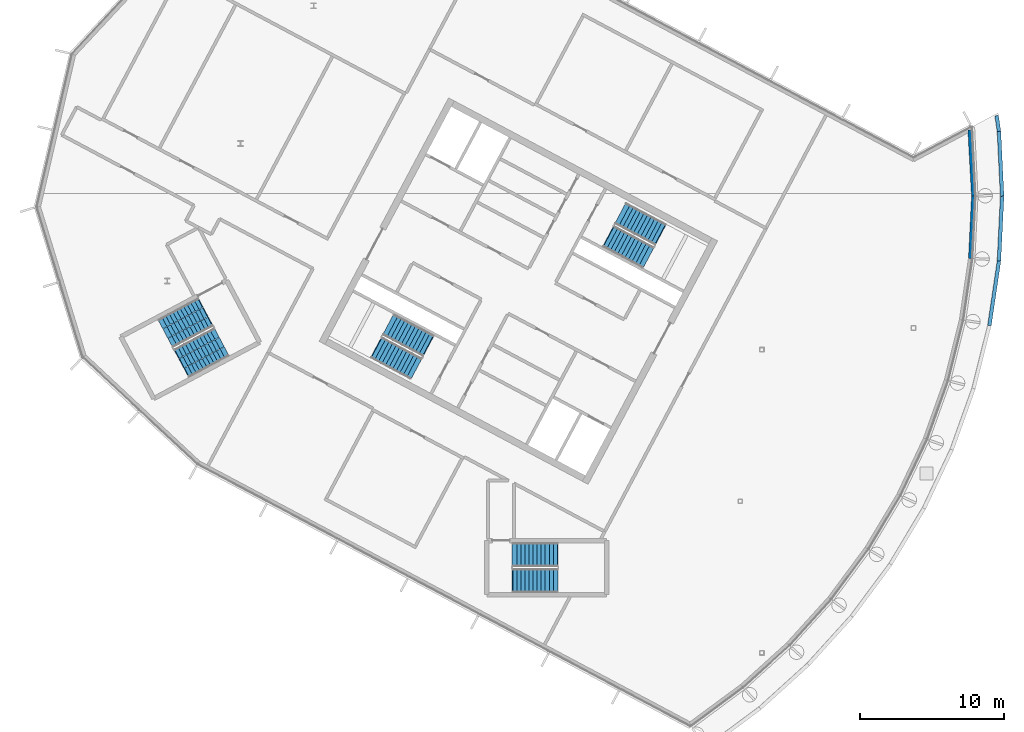
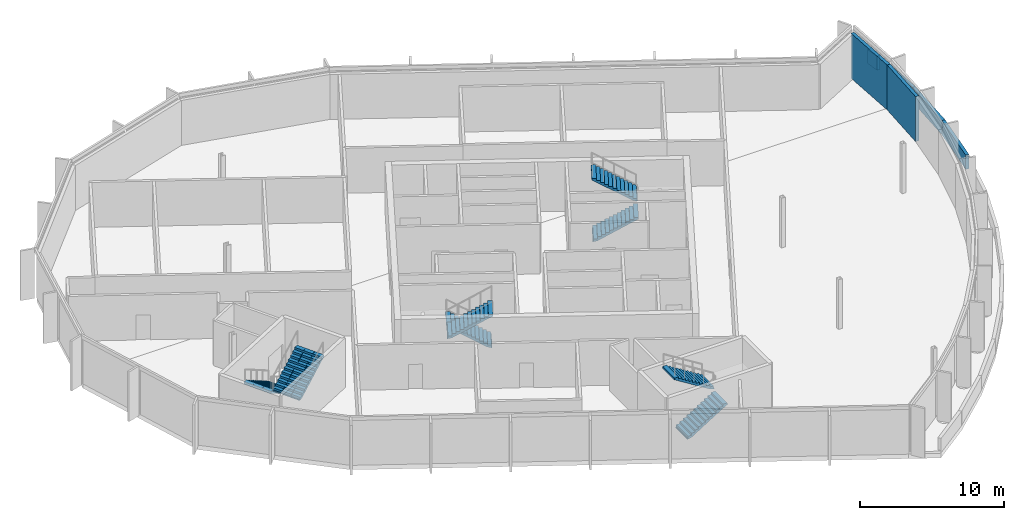
# One storey, part 9 of 15: 8 stair flights, 6 walls, 4 elements without a shape of their own.
"""IFC4 building model written with IfcOpenShell, lengths in metres."""

import ifcopenshell
import ifcopenshell.guid

model = None  # the IFC model being written
_history = None  # IfcOwnerHistory: only IFC2X3 demands one
_inside = {}  # id of a spatial element -> (the spatial element, [elements in it])
_under = {}  # id of a project, library or spatial element -> (it, [spatial elements below it])
_declared = {}  # id of a project -> (the project, [libraries it declares])
_typed = {}  # id of a type object -> (the type object, [elements of that type])
_made_of = {}  # id of a material, layer set ... -> (it, [elements and type objects made of it])


def new_model(schema):
    """Start an empty IFC model of exactly this schema.

    Asked for "IFC4X3", IfcOpenShell would pick the latest addendum, in which some entities
    have other attributes; the version numbers below select the first issue.
    IFC2X3 requires an IfcOwnerHistory on every rooted entity: one is made here for all.
    """
    global model, _history
    if schema == "IFC4X3":
        model = ifcopenshell.file(schema_version=(4, 3, 0, 0))
    else:
        model = ifcopenshell.file(schema=schema)
    _inside.clear()
    _under.clear()
    _declared.clear()
    _typed.clear()
    _made_of.clear()
    _history = None
    if model.schema == "IFC2X3":
        org = make("IfcOrganization", Name="unknown")
        user = make(
            "IfcPersonAndOrganization",
            ThePerson=make("IfcPerson", FamilyName="unknown"),
            TheOrganization=org,
        )
        app = make(
            "IfcApplication",
            ApplicationDeveloper=org,
            Version="unknown",
            ApplicationFullName="unknown",
            ApplicationIdentifier="unknown",
        )
        _history = make(
            "IfcOwnerHistory",
            OwningUser=user,
            OwningApplication=app,
            ChangeAction="ADDED",
            CreationDate=0,
        )
    return model


def make(cls, **values):
    """One entity of the class cls with the attributes given. An attribute that is None is left unset."""
    return model.create_entity(
        cls, **{name: value for name, value in values.items() if value is not None}
    )


def rooted(cls, **values):
    """An entity with a GlobalId (a new one), such as an element, a storey or a relation."""
    return make(cls, GlobalId=ifcopenshell.guid.new(), OwnerHistory=_history, **values)


def si_unit(unit_type, name, prefix=None):
    """IfcSIUnit, for example si_unit("LENGTHUNIT", "METRE", prefix="MILLI")."""
    return make("IfcSIUnit", UnitType=unit_type, Prefix=prefix, Name=name)


def assignment(units):
    """IfcUnitAssignment: the units of a project."""
    return None if units is None else make("IfcUnitAssignment", Units=units)


def point(xyz):
    """IfcCartesianPoint."""
    return None if xyz is None else make("IfcCartesianPoint", Coordinates=xyz)


def direction(xyz):
    """IfcDirection."""
    return None if xyz is None else make("IfcDirection", DirectionRatios=xyz)


def frame(location, z_axis=None, x_axis=None):
    """IfcAxis2Placement3D, a coordinate frame: its origin and axes. An axis left out is left unset."""
    return make(
        "IfcAxis2Placement3D",
        Location=point(location),
        Axis=direction(z_axis),
        RefDirection=direction(x_axis),
    )


def frame_2d(location, x_axis=None):
    """IfcAxis2Placement2D, a coordinate frame in the plane: its origin and x axis."""
    return make(
        "IfcAxis2Placement2D", Location=point(location), RefDirection=direction(x_axis)
    )


def origin():
    """The frame at (0, 0, 0) with its axes left unset."""
    return frame((0.0, 0.0, 0.0))


def place(relative_to, where):
    """IfcLocalPlacement: puts the frame where relative to a parent placement (None: the world)."""
    return make(
        "IfcLocalPlacement", PlacementRelTo=relative_to, RelativePlacement=where
    )


def context(
    kind, dimensions, precision=None, world=None, true_north=None, identifier=None
):
    """IfcGeometricRepresentationContext, for example the 3D "Model" context."""
    return make(
        "IfcGeometricRepresentationContext",
        ContextIdentifier=identifier,
        ContextType=kind,
        CoordinateSpaceDimension=dimensions,
        Precision=precision,
        WorldCoordinateSystem=world,
        TrueNorth=true_north,
    )


def subcontext(parent, identifier, kind, view, scale=None):
    """IfcGeometricRepresentationSubContext, for example "Body" below "Model"."""
    return make(
        "IfcGeometricRepresentationSubContext",
        ContextIdentifier=identifier,
        ContextType=kind,
        ParentContext=parent,
        TargetScale=scale,
        TargetView=view,
    )


def project(units=None, contexts=None):
    """IfcProject with its units and contexts."""
    return rooted(
        "IfcProject",
        Name="project",
        RepresentationContexts=contexts,
        UnitsInContext=assignment(units),
    )


def spatial(cls, under=None, at=None, **own):
    """A site, building, storey or space (cls), placed at a placement, below another one or the project."""
    s = rooted(cls, ObjectPlacement=at, **own)
    if under is not None:
        _under.setdefault(under.id(), (under, []))[1].append(s)
    return s


def polyline(points):
    """IfcPolyline through the points."""
    return make("IfcPolyline", Points=[point(p) for p in points])


def profile(cls, at=None, kind="AREA", **sizes):
    """A parametric profile (cls). Its sizes go by their IFC names, for example OverallWidth=200.0."""
    return make(cls, ProfileType=kind, Position=at, **sizes)


def rectangle(**sizes):
    """IfcRectangleProfileDef."""
    return profile("IfcRectangleProfileDef", **sizes)


def outline(outer, holes=None, kind="AREA"):
    """IfcArbitraryClosedProfileDef: a profile drawn as a closed curve; with holes, ...WithVoids."""
    if holes is None:
        return make("IfcArbitraryClosedProfileDef", ProfileType=kind, OuterCurve=outer)
    return make(
        "IfcArbitraryProfileDefWithVoids",
        ProfileType=kind,
        OuterCurve=outer,
        InnerCurves=holes,
    )


def extrude(swept, where, along, depth):
    """IfcExtrudedAreaSolid: the profile swept, set in the frame where, extruded along a direction by depth."""
    return make(
        "IfcExtrudedAreaSolid",
        SweptArea=swept,
        Position=where,
        ExtrudedDirection=direction(along),
        Depth=depth,
    )


def shape(context_of_items, identifier, shape_type, items):
    """IfcShapeRepresentation: the items that make up one representation, for example the "Body"."""
    return make(
        "IfcShapeRepresentation",
        ContextOfItems=context_of_items,
        RepresentationIdentifier=identifier,
        RepresentationType=shape_type,
        Items=items,
    )


def material(Name=None, Category=None):
    """IfcMaterial."""
    return make("IfcMaterial", Name=Name, Category=Category)


def layer(
    of_material, thickness, ventilated=None, Name=None, Category=None, Priority=None
):
    """IfcMaterialLayer: one layer of a wall or slab, of a material (None: an air gap)."""
    return make(
        "IfcMaterialLayer",
        Material=of_material,
        LayerThickness=thickness,
        IsVentilated=ventilated,
        Name=Name,
        Category=Category,
        Priority=Priority,
    )


def layer_set(layers, Name=None):
    """IfcMaterialLayerSet."""
    return make("IfcMaterialLayerSet", MaterialLayers=layers, LayerSetName=Name)


def made_of(thing, what):
    """Note that an element or type object is made of a material, layer set ...; save() writes the relation."""
    if what is not None:
        _made_of.setdefault(what.id(), (what, []))[1].append(thing)
    return thing


def type_object(cls, material=None, **own):
    """A type object (cls), such as IfcWallType, which elements share."""
    return made_of(rooted(cls, **own), material)


def element(
    cls,
    number,
    at=None,
    inside=None,
    cuts=None,
    type_object=None,
    material=None,
    context=None,
    identifier="Body",
    shape_type=None,
    held_by="IfcProductDefinitionShape",
    body=None,
    shapes=None,
    **own,
):
    """One element of the class cls, such as IfcWall. Its Tag is "e" and its number.

    at: its placement. inside: the storey or other place that contains it. cuts: it is an
    opening in that element (IfcRelVoidsElement). A single representation is given by context,
    identifier, shape_type and body (its items); several are given by shapes. held_by: the class
    of the entity that holds the representations. save() writes the other relations.
    """
    e = rooted(cls, Tag="e%d" % number, ObjectPlacement=at, **own)
    if body is not None:
        shapes = [shape(context, identifier, shape_type, body)]
    if shapes is not None:
        e.Representation = make(held_by, Representations=shapes)
    if inside is not None:
        _inside.setdefault(inside.id(), (inside, []))[1].append(e)
    if cuts is not None:
        rooted(
            "IfcRelVoidsElement", RelatingBuildingElement=cuts, RelatedOpeningElement=e
        )
    if type_object is not None:
        _typed.setdefault(type_object.id(), (type_object, []))[1].append(e)
    return made_of(e, material)


def aggregate(whole, parts):
    """IfcRelAggregates: a whole, such as a stair, and the parts it consists of."""
    return rooted("IfcRelAggregates", RelatingObject=whole, RelatedObjects=parts)


def save(model, path):
    """Write the relations noted so far, then the file.

    IfcRelAggregates (storeys below a building ...), IfcRelContainedInSpatialStructure (elements
    in a storey), IfcRelDefinesByType, IfcRelAssociatesMaterial and IfcRelDeclares: one each for
    every whole, place, type object, material and project.
    """
    for whole, parts in _under.values():
        aggregate(whole, parts)
    for where, things in _inside.values():
        rooted(
            "IfcRelContainedInSpatialStructure",
            RelatedElements=things,
            RelatingStructure=where,
        )
    for kind, things in _typed.values():
        rooted("IfcRelDefinesByType", RelatedObjects=things, RelatingType=kind)
    for what, things in _made_of.values():
        rooted("IfcRelAssociatesMaterial", RelatedObjects=things, RelatingMaterial=what)
    for by, libraries in _declared.values():
        rooted("IfcRelDeclares", RelatingContext=by, RelatedDefinitions=libraries)
    model.write(path)


model = new_model("IFC4")

# Units and contexts
model_context = context("Model", 3, precision=1e-05, world=origin(), true_north=direction((0.0, 1.0)))
body_context = subcontext(model_context, "Body", "Model", "MODEL_VIEW")
ifc_project = project(units=[si_unit("LENGTHUNIT", "METRE"), si_unit("AREAUNIT", "SQUARE_METRE"), si_unit("VOLUMEUNIT", "CUBIC_METRE"), si_unit("PLANEANGLEUNIT", "RADIAN"), si_unit("MASSUNIT", "GRAM", prefix="KILO")], contexts=[model_context])

# Site, building, storey
site_placement = place(None, origin())
site = spatial("IfcSite", under=ifc_project, at=site_placement, CompositionType="ELEMENT")
building_placement = place(site_placement, origin())
building = spatial("IfcBuilding", under=site, at=building_placement, Name="Cormorant Relay Tower", CompositionType="ELEMENT")
storey_placement = place(building_placement, frame((0.0, 0.0, 332.39990234375)))
storey = spatial("IfcBuildingStorey", under=building, at=storey_placement, Name="C2", CompositionType="ELEMENT", Elevation=332.39990234375)

# Walls
ifc_material_1 = material(Name="Bronze cladding on Concrete 30 MPa block wall", Category="concrete")
ifc_layer_1 = layer(ifc_material_1, 0.25)
ifc_layer_set_1 = layer_set([ifc_layer_1], Name="Crown wall 250")
wall_type_1 = type_object("IfcWallType", Name="Crown wall 250", PredefinedType="STANDARD", material=ifc_layer_set_1)
wall_1_placement = place(storey_placement, frame((3.888916015625, 25.710205078125, 0.0), z_axis=(0.0, 0.0, 1.0), x_axis=(0.055146037313, -0.998478299498, 0.0)))
element("IfcWall", 1, at=wall_1_placement, inside=storey, type_object=wall_type_1, Name="Crown wall C2", PredefinedType="STANDARD", context=body_context, shape_type="SweptSolid", body=[
    extrude(rectangle(XDim=4.591064453125, YDim=0.25, at=frame_2d((2.29541015625, 0.0))), origin(), (0.0, 0.0, 1.0), 3.7998046875),
])
wall_2_placement = place(storey_placement, frame((4.14208984375, 21.126220703125, 0.0), z_axis=(0.0, 0.0, 1.0), x_axis=(-0.049046775901, -0.99879648266, 0.0)))
element("IfcWall", 2, at=wall_2_placement, inside=storey, type_object=wall_type_1, Name="Crown wall C2", PredefinedType="STANDARD", context=body_context, shape_type="SweptSolid", body=[
    extrude(rectangle(XDim=4.3056640625, YDim=0.25, at=frame_2d((2.15283203125, 0.0))), origin(), (0.0, 0.0, 1.0), 3.7998046875),
])
ifc_material_2 = material(Name="Bronze cladding on Concrete 30 MPa block wall", Category="concrete")
ifc_layer_2 = layer(ifc_material_2, 0.25)
ifc_layer_set_2 = layer_set([ifc_layer_2], Name="Parapet 250")
wall_type_2 = type_object("IfcWallType", Name="Parapet 250", PredefinedType="PARAPET", material=ifc_layer_set_2)
wall_3_placement = place(storey_placement, frame((5.7607421875, 26.705322265625, 0.0), z_axis=(0.0, 0.0, 1.0), x_axis=(0.146791207587, -0.98916749915, 0.0)))
element("IfcWall", 3, at=wall_3_placement, inside=storey, type_object=wall_type_2, Name="Terrace parapet C1", PredefinedType="PARAPET", context=body_context, shape_type="SweptSolid", body=[
    extrude(rectangle(XDim=1.094482421875, YDim=0.25, at=frame_2d((0.54736328125, 0.0))), origin(), (0.0, 0.0, 1.0), 1.2001953125),
])
for number, where, z_axis, x_axis, name in (
    (4, (5.92138671875, 25.622802734375, 0.0), (0.0, 0.0, 1.0), (0.049023404148, -0.998797630076, 0.0), "Terrace parapet C1"),
    (5, (6.14208984375, 21.126220703125, 0.0), (0.0, 0.0, 1.0), (-0.049023404148, -0.998797630076, 0.0), "Terrace parapet C1"),
    (6, (5.92138671875, 16.629638671875, 0.0), (0.0, 0.0, 1.0), (-0.146749130858, -0.989173742369, 0.0), "Terrace parapet C1"),
):
    element("IfcWall", number, at=place(storey_placement, frame(where, z_axis=z_axis, x_axis=x_axis)), inside=storey, type_object=wall_type_2, Name=name, PredefinedType="PARAPET", context=body_context, shape_type="SweptSolid", body=[
        extrude(rectangle(XDim=4.501953125, YDim=0.25, at=frame_2d((2.2509765625, 0.0))), origin(), (0.0, 0.0, 1.0), 1.2001953125),
    ])

# Stair, stair flights
ifc_material_3 = material(Name="Concrete 40 MPa", Category="concrete")
stair_type_1 = type_object("IfcStairType", Name="Exit stair 1500", PredefinedType="HALF_TURN_STAIR", material=ifc_material_3)
stair_1_placement = place(storey_placement, origin())
stair_1 = element("IfcStair", 7, at=stair_1_placement, inside=storey, type_object=stair_type_1, Name="C2 Stair", PredefinedType="HALF_TURN_STAIR")
ifc_material_4 = material(Name="Concrete 40 MPa", Category="concrete")
stair_flight_type_1 = type_object("IfcStairFlightType", Name="Exit stair flight 1650", PredefinedType="STRAIGHT", material=ifc_material_4)
stair_flight_1_placement = place(storey_placement, frame((-21.114501953125, 18.33349609375, 0.0), z_axis=(0.0, 0.0, 1.0), x_axis=(0.882947592859, -0.469471562786, 0.0)))
stair_flight_1 = element("IfcStairFlight", 8, at=stair_flight_1_placement, type_object=stair_flight_type_1, Name="A1 flight 1", NumberOfRisers=12, NumberOfTreads=11, PredefinedType="STRAIGHT", RiserHeight=0.175, TreadLength=0.28, context=body_context, shape_type="SweptSolid", body=[
    extrude(outline(polyline([(-0.050048828125, -0.080078125), (-0.050048828125, 0.0), (0.0, 0.0), (0.0, 0.175048828125), (0.280029296875, 0.175048828125), (0.280029296875, 0.35009765625), (0.56005859375, 0.35009765625), (0.56005859375, 0.52490234375), (0.840087890625, 0.52490234375), (0.840087890625, 0.699951171875), (1.1201171875, 0.699951171875), (1.1201171875, 0.875), (1.39990234375, 0.875), (1.39990234375, 1.050048828125), (1.679931640625, 1.050048828125), (1.679931640625, 1.22509765625), (1.9599609375, 1.22509765625), (1.9599609375, 1.39990234375), (2.239990234375, 1.39990234375), (2.239990234375, 1.574951171875), (2.52001953125, 1.574951171875), (2.52001953125, 1.75), (2.800048828125, 1.75), (2.800048828125, 1.925048828125), (3.080078125, 1.925048828125), (3.130126953125, 1.925048828125), (3.130126953125, 1.748291015625), (3.080078125, 1.748291015625), (0.28271484375, 0.0), (-0.050048828125, -0.080078125)])), frame((0.0, 0.824951171875, 0.0), z_axis=(0.0, -1.0, 0.0), x_axis=(1.0, 0.0, 0.0)), (0.0, 0.0, 1.0), 1.64990234375),
])
stair_flight_2_placement = place(storey_placement, frame((-17.5498046875, 18.47705078125, 2.10009765625), z_axis=(0.0, 0.0, 1.0), x_axis=(-0.882947592859, 0.469471562786, 0.0)))
stair_flight_2 = element("IfcStairFlight", 9, at=stair_flight_2_placement, type_object=stair_flight_type_1, Name="A1 flight 2", NumberOfRisers=12, NumberOfTreads=11, PredefinedType="STRAIGHT", RiserHeight=0.175, TreadLength=0.28, context=body_context, shape_type="SweptSolid", body=[
    extrude(outline(polyline([(-0.050048828125, -0.080078125), (-0.050048828125, 0.0), (0.0, 0.0), (0.0, 0.175048828125), (0.280029296875, 0.175048828125), (0.280029296875, 0.35009765625), (0.56005859375, 0.35009765625), (0.56005859375, 0.52490234375), (0.840087890625, 0.52490234375), (0.840087890625, 0.699951171875), (1.1201171875, 0.699951171875), (1.1201171875, 0.875), (1.39990234375, 0.875), (1.39990234375, 1.050048828125), (1.679931640625, 1.050048828125), (1.679931640625, 1.22509765625), (1.9599609375, 1.22509765625), (1.9599609375, 1.39990234375), (2.239990234375, 1.39990234375), (2.239990234375, 1.574951171875), (2.52001953125, 1.574951171875), (2.52001953125, 1.75), (2.800048828125, 1.75), (2.800048828125, 1.925048828125), (3.080078125, 1.925048828125), (3.130126953125, 1.925048828125), (3.130126953125, 1.748291015625), (3.080078125, 1.748291015625), (0.28271484375, 0.0), (-0.050048828125, -0.080078125)])), frame((0.0, 0.824951171875, 0.0), z_axis=(0.0, -1.0, 0.0), x_axis=(1.0, 0.0, 0.0)), (0.0, 0.0, 1.0), 1.64990234375),
])
aggregate(stair_1, [stair_flight_1, stair_flight_2])

stair_2_placement = place(storey_placement, origin())
stair_2 = element("IfcStair", 10, at=stair_2_placement, inside=storey, type_object=stair_type_1, Name="C2 Stair", PredefinedType="HALF_TURN_STAIR")
stair_flight_3_placement = place(storey_placement, frame((-33.62841796875, 10.773681640625, 0.0), z_axis=(0.0, 0.0, 1.0), x_axis=(-0.882947592859, 0.469471562786, 0.0)))
stair_flight_3 = element("IfcStairFlight", 11, at=stair_flight_3_placement, type_object=stair_flight_type_1, Name="A2 flight 1", NumberOfRisers=12, NumberOfTreads=11, PredefinedType="STRAIGHT", RiserHeight=0.175, TreadLength=0.28, context=body_context, shape_type="SweptSolid", body=[
    extrude(outline(polyline([(-0.050048828125, -0.080078125), (-0.050048828125, 0.0), (0.0, 0.0), (0.0, 0.175048828125), (0.280029296875, 0.175048828125), (0.280029296875, 0.35009765625), (0.56005859375, 0.35009765625), (0.56005859375, 0.52490234375), (0.840087890625, 0.52490234375), (0.840087890625, 0.699951171875), (1.1201171875, 0.699951171875), (1.1201171875, 0.875), (1.39990234375, 0.875), (1.39990234375, 1.050048828125), (1.679931640625, 1.050048828125), (1.679931640625, 1.22509765625), (1.9599609375, 1.22509765625), (1.9599609375, 1.39990234375), (2.239990234375, 1.39990234375), (2.239990234375, 1.574951171875), (2.52001953125, 1.574951171875), (2.52001953125, 1.75), (2.800048828125, 1.75), (2.800048828125, 1.925048828125), (3.080078125, 1.925048828125), (3.130126953125, 1.925048828125), (3.130126953125, 1.748291015625), (3.080078125, 1.748291015625), (0.28271484375, 0.0), (-0.050048828125, -0.080078125)])), frame((0.0, 0.824951171875, 0.0), z_axis=(0.0, -1.0, 0.0), x_axis=(1.0, 0.0, 0.0)), (0.0, 0.0, 1.0), 1.64990234375),
])
stair_flight_4_placement = place(storey_placement, frame((-37.19287109375, 10.63037109375, 2.10009765625), z_axis=(0.0, 0.0, 1.0), x_axis=(0.882947592859, -0.469471562786, 0.0)))
stair_flight_4 = element("IfcStairFlight", 12, at=stair_flight_4_placement, type_object=stair_flight_type_1, Name="A2 flight 2", NumberOfRisers=12, NumberOfTreads=11, PredefinedType="STRAIGHT", RiserHeight=0.175, TreadLength=0.28, context=body_context, shape_type="SweptSolid", body=[
    extrude(outline(polyline([(-0.050048828125, -0.080078125), (-0.050048828125, 0.0), (0.0, 0.0), (0.0, 0.175048828125), (0.280029296875, 0.175048828125), (0.280029296875, 0.35009765625), (0.56005859375, 0.35009765625), (0.56005859375, 0.52490234375), (0.840087890625, 0.52490234375), (0.840087890625, 0.699951171875), (1.1201171875, 0.699951171875), (1.1201171875, 0.875), (1.39990234375, 0.875), (1.39990234375, 1.050048828125), (1.679931640625, 1.050048828125), (1.679931640625, 1.22509765625), (1.9599609375, 1.22509765625), (1.9599609375, 1.39990234375), (2.239990234375, 1.39990234375), (2.239990234375, 1.574951171875), (2.52001953125, 1.574951171875), (2.52001953125, 1.75), (2.800048828125, 1.75), (2.800048828125, 1.925048828125), (3.080078125, 1.925048828125), (3.130126953125, 1.925048828125), (3.130126953125, 1.748291015625), (3.080078125, 1.748291015625), (0.28271484375, 0.0), (-0.050048828125, -0.080078125)])), frame((0.0, 0.824951171875, 0.0), z_axis=(0.0, -1.0, 0.0), x_axis=(1.0, 0.0, 0.0)), (0.0, 0.0, 1.0), 1.64990234375),
])
aggregate(stair_2, [stair_flight_3, stair_flight_4])

stair_3_placement = place(storey_placement, origin())
stair_3 = element("IfcStair", 13, at=stair_3_placement, inside=storey, type_object=stair_type_1, Name="C2 Stair", PredefinedType="HALF_TURN_STAIR")
stair_flight_5_placement = place(storey_placement, frame((-27.75, -5.5, 0.0), z_axis=(0.0, 0.0, 1.0), x_axis=(1.0, 0.0, 0.0)))
stair_flight_5 = element("IfcStairFlight", 14, at=stair_flight_5_placement, type_object=stair_flight_type_1, Name="RC1 flight 1", NumberOfRisers=12, NumberOfTreads=11, PredefinedType="STRAIGHT", RiserHeight=0.175, TreadLength=0.28, context=body_context, shape_type="SweptSolid", body=[
    extrude(outline(polyline([(-0.050048828125, -0.080078125), (-0.050048828125, 0.0), (0.0, 0.0), (0.0, 0.175048828125), (0.280029296875, 0.175048828125), (0.280029296875, 0.35009765625), (0.56005859375, 0.35009765625), (0.56005859375, 0.52490234375), (0.840087890625, 0.52490234375), (0.840087890625, 0.699951171875), (1.1201171875, 0.699951171875), (1.1201171875, 0.875), (1.39990234375, 0.875), (1.39990234375, 1.050048828125), (1.679931640625, 1.050048828125), (1.679931640625, 1.22509765625), (1.9599609375, 1.22509765625), (1.9599609375, 1.39990234375), (2.239990234375, 1.39990234375), (2.239990234375, 1.574951171875), (2.52001953125, 1.574951171875), (2.52001953125, 1.75), (2.800048828125, 1.75), (2.800048828125, 1.925048828125), (3.080078125, 1.925048828125), (3.130126953125, 1.925048828125), (3.130126953125, 1.748291015625), (3.080078125, 1.748291015625), (0.28271484375, 0.0), (-0.050048828125, -0.080078125)])), frame((0.0, 0.824951171875, 0.0), z_axis=(0.0, -1.0, 0.0), x_axis=(1.0, 0.0, 0.0)), (0.0, 0.0, 1.0), 1.64990234375),
])
stair_flight_6_placement = place(storey_placement, frame((-24.669921875, -3.699951171875, 2.10009765625), z_axis=(0.0, 0.0, 1.0), x_axis=(-1.0, 0.0, 0.0)))
stair_flight_6 = element("IfcStairFlight", 15, at=stair_flight_6_placement, type_object=stair_flight_type_1, Name="RC1 flight 2", NumberOfRisers=12, NumberOfTreads=11, PredefinedType="STRAIGHT", RiserHeight=0.175, TreadLength=0.28, context=body_context, shape_type="SweptSolid", body=[
    extrude(outline(polyline([(-0.050048828125, -0.080078125), (-0.050048828125, 0.0), (0.0, 0.0), (0.0, 0.175048828125), (0.280029296875, 0.175048828125), (0.280029296875, 0.35009765625), (0.56005859375, 0.35009765625), (0.56005859375, 0.52490234375), (0.840087890625, 0.52490234375), (0.840087890625, 0.699951171875), (1.1201171875, 0.699951171875), (1.1201171875, 0.875), (1.39990234375, 0.875), (1.39990234375, 1.050048828125), (1.679931640625, 1.050048828125), (1.679931640625, 1.22509765625), (1.9599609375, 1.22509765625), (1.9599609375, 1.39990234375), (2.239990234375, 1.39990234375), (2.239990234375, 1.574951171875), (2.52001953125, 1.574951171875), (2.52001953125, 1.75), (2.800048828125, 1.75), (2.800048828125, 1.925048828125), (3.080078125, 1.925048828125), (3.130126953125, 1.925048828125), (3.130126953125, 1.748291015625), (3.080078125, 1.748291015625), (0.28271484375, 0.0), (-0.050048828125, -0.080078125)])), frame((0.0, 0.824951171875, 0.0), z_axis=(0.0, -1.0, 0.0), x_axis=(1.0, 0.0, 0.0)), (0.0, 0.0, 1.0), 1.64990234375),
])
aggregate(stair_3, [stair_flight_5, stair_flight_6])

ifc_material_5 = material(Name="Concrete 40 MPa", Category="concrete")
stair_type_2 = type_object("IfcStairType", Name="Remote exit stair 2200", PredefinedType="HALF_TURN_STAIR", material=ifc_material_5)
stair_4_placement = place(storey_placement, origin())
stair_4 = element("IfcStair", 16, at=stair_4_placement, inside=storey, type_object=stair_type_2, Name="C2 Stair", PredefinedType="HALF_TURN_STAIR")
ifc_material_6 = material(Name="Concrete 40 MPa", Category="concrete")
stair_flight_type_2 = type_object("IfcStairFlightType", Name="Remote exit stair flight 2200", PredefinedType="STRAIGHT", material=ifc_material_6)
stair_flight_7_placement = place(storey_placement, frame((-49.062255859375, 13.08251953125, 0.0), z_axis=(0.0, 0.0, 1.0), x_axis=(-0.882947502727, -0.4694717323, 0.0)))
stair_flight_7 = element("IfcStairFlight", 17, at=stair_flight_7_placement, type_object=stair_flight_type_2, Name="RP1 flight 1", NumberOfRisers=12, NumberOfTreads=11, PredefinedType="STRAIGHT", RiserHeight=0.175, TreadLength=0.28, context=body_context, shape_type="SweptSolid", body=[
    extrude(outline(polyline([(-0.050048828125, -0.080078125), (-0.050048828125, 0.0), (0.0, 0.0), (0.0, 0.175048828125), (0.280029296875, 0.175048828125), (0.280029296875, 0.35009765625), (0.56005859375, 0.35009765625), (0.56005859375, 0.52490234375), (0.840087890625, 0.52490234375), (0.840087890625, 0.699951171875), (1.1201171875, 0.699951171875), (1.1201171875, 0.875), (1.39990234375, 0.875), (1.39990234375, 1.050048828125), (1.679931640625, 1.050048828125), (1.679931640625, 1.22509765625), (1.9599609375, 1.22509765625), (1.9599609375, 1.39990234375), (2.239990234375, 1.39990234375), (2.239990234375, 1.574951171875), (2.52001953125, 1.574951171875), (2.52001953125, 1.75), (2.800048828125, 1.75), (2.800048828125, 1.925048828125), (3.080078125, 1.925048828125), (3.130126953125, 1.925048828125), (3.130126953125, 1.748291015625), (3.080078125, 1.748291015625), (0.28271484375, 0.0), (-0.050048828125, -0.080078125)])), frame((0.0, 1.10009765625, 0.0), z_axis=(0.0, -1.0, 0.0), x_axis=(1.0, 0.0, 0.0)), (0.0, 0.0, 1.0), 0.719970703125),
    extrude(outline(polyline([(-0.050048828125, -0.080078125), (-0.050048828125, 0.0), (0.0, 0.0), (0.0, 0.175048828125), (0.280029296875, 0.175048828125), (0.280029296875, 0.35009765625), (0.56005859375, 0.35009765625), (0.56005859375, 0.52490234375), (0.840087890625, 0.52490234375), (0.840087890625, 0.699951171875), (1.1201171875, 0.699951171875), (1.1201171875, 0.875), (1.39990234375, 0.875), (1.39990234375, 1.050048828125), (1.679931640625, 1.050048828125), (1.679931640625, 1.22509765625), (1.9599609375, 1.22509765625), (1.9599609375, 1.39990234375), (2.239990234375, 1.39990234375), (2.239990234375, 1.574951171875), (2.52001953125, 1.574951171875), (2.52001953125, 1.75), (2.800048828125, 1.75), (2.800048828125, 1.925048828125), (3.080078125, 1.925048828125), (3.130126953125, 1.925048828125), (3.130126953125, 1.748291015625), (3.080078125, 1.748291015625), (0.28271484375, 0.0), (-0.050048828125, -0.080078125)])), frame((0.0, 0.360107421875, 0.0), z_axis=(0.0, -1.0, 0.0), x_axis=(1.0, 0.0, 0.0)), (0.0, 0.0, 1.0), 0.719970703125),
    extrude(outline(polyline([(-0.050048828125, -0.080078125), (-0.050048828125, 0.0), (0.0, 0.0), (0.0, 0.175048828125), (0.280029296875, 0.175048828125), (0.280029296875, 0.35009765625), (0.56005859375, 0.35009765625), (0.56005859375, 0.52490234375), (0.840087890625, 0.52490234375), (0.840087890625, 0.699951171875), (1.1201171875, 0.699951171875), (1.1201171875, 0.875), (1.39990234375, 0.875), (1.39990234375, 1.050048828125), (1.679931640625, 1.050048828125), (1.679931640625, 1.22509765625), (1.9599609375, 1.22509765625), (1.9599609375, 1.39990234375), (2.239990234375, 1.39990234375), (2.239990234375, 1.574951171875), (2.52001953125, 1.574951171875), (2.52001953125, 1.75), (2.800048828125, 1.75), (2.800048828125, 1.925048828125), (3.080078125, 1.925048828125), (3.130126953125, 1.925048828125), (3.130126953125, 1.748291015625), (3.080078125, 1.748291015625), (0.28271484375, 0.0), (-0.050048828125, -0.080078125)])), frame((0.0, -0.3798828125, 0.0), z_axis=(0.0, -1.0, 0.0), x_axis=(1.0, 0.0, 0.0)), (0.0, 0.0, 1.0), 0.719970703125),
])
stair_flight_8_placement = place(storey_placement, frame((-50.678466796875, 9.5615234375, 2.10009765625), z_axis=(0.0, 0.0, 1.0), x_axis=(0.882947502727, 0.4694717323, 0.0)))
stair_flight_8 = element("IfcStairFlight", 18, at=stair_flight_8_placement, type_object=stair_flight_type_2, Name="RP1 flight 2", NumberOfRisers=12, NumberOfTreads=11, PredefinedType="STRAIGHT", RiserHeight=0.175, TreadLength=0.28, context=body_context, shape_type="SweptSolid", body=[
    extrude(outline(polyline([(-0.050048828125, -0.080078125), (-0.050048828125, 0.0), (0.0, 0.0), (0.0, 0.175048828125), (0.280029296875, 0.175048828125), (0.280029296875, 0.35009765625), (0.56005859375, 0.35009765625), (0.56005859375, 0.52490234375), (0.840087890625, 0.52490234375), (0.840087890625, 0.699951171875), (1.1201171875, 0.699951171875), (1.1201171875, 0.875), (1.39990234375, 0.875), (1.39990234375, 1.050048828125), (1.679931640625, 1.050048828125), (1.679931640625, 1.22509765625), (1.9599609375, 1.22509765625), (1.9599609375, 1.39990234375), (2.239990234375, 1.39990234375), (2.239990234375, 1.574951171875), (2.52001953125, 1.574951171875), (2.52001953125, 1.75), (2.800048828125, 1.75), (2.800048828125, 1.925048828125), (3.080078125, 1.925048828125), (3.130126953125, 1.925048828125), (3.130126953125, 1.748291015625), (3.080078125, 1.748291015625), (0.28271484375, 0.0), (-0.050048828125, -0.080078125)])), frame((0.0, 1.10009765625, 0.0), z_axis=(0.0, -1.0, 0.0), x_axis=(1.0, 0.0, 0.0)), (0.0, 0.0, 1.0), 0.719970703125),
    extrude(outline(polyline([(-0.050048828125, -0.080078125), (-0.050048828125, 0.0), (0.0, 0.0), (0.0, 0.175048828125), (0.280029296875, 0.175048828125), (0.280029296875, 0.35009765625), (0.56005859375, 0.35009765625), (0.56005859375, 0.52490234375), (0.840087890625, 0.52490234375), (0.840087890625, 0.699951171875), (1.1201171875, 0.699951171875), (1.1201171875, 0.875), (1.39990234375, 0.875), (1.39990234375, 1.050048828125), (1.679931640625, 1.050048828125), (1.679931640625, 1.22509765625), (1.9599609375, 1.22509765625), (1.9599609375, 1.39990234375), (2.239990234375, 1.39990234375), (2.239990234375, 1.574951171875), (2.52001953125, 1.574951171875), (2.52001953125, 1.75), (2.800048828125, 1.75), (2.800048828125, 1.925048828125), (3.080078125, 1.925048828125), (3.130126953125, 1.925048828125), (3.130126953125, 1.748291015625), (3.080078125, 1.748291015625), (0.28271484375, 0.0), (-0.050048828125, -0.080078125)])), frame((0.0, 0.360107421875, 0.0), z_axis=(0.0, -1.0, 0.0), x_axis=(1.0, 0.0, 0.0)), (0.0, 0.0, 1.0), 0.719970703125),
    extrude(outline(polyline([(-0.050048828125, -0.080078125), (-0.050048828125, 0.0), (0.0, 0.0), (0.0, 0.175048828125), (0.280029296875, 0.175048828125), (0.280029296875, 0.35009765625), (0.56005859375, 0.35009765625), (0.56005859375, 0.52490234375), (0.840087890625, 0.52490234375), (0.840087890625, 0.699951171875), (1.1201171875, 0.699951171875), (1.1201171875, 0.875), (1.39990234375, 0.875), (1.39990234375, 1.050048828125), (1.679931640625, 1.050048828125), (1.679931640625, 1.22509765625), (1.9599609375, 1.22509765625), (1.9599609375, 1.39990234375), (2.239990234375, 1.39990234375), (2.239990234375, 1.574951171875), (2.52001953125, 1.574951171875), (2.52001953125, 1.75), (2.800048828125, 1.75), (2.800048828125, 1.925048828125), (3.080078125, 1.925048828125), (3.130126953125, 1.925048828125), (3.130126953125, 1.748291015625), (3.080078125, 1.748291015625), (0.28271484375, 0.0), (-0.050048828125, -0.080078125)])), frame((0.0, -0.3798828125, 0.0), z_axis=(0.0, -1.0, 0.0), x_axis=(1.0, 0.0, 0.0)), (0.0, 0.0, 1.0), 0.719970703125),
])
aggregate(stair_4, [stair_flight_7, stair_flight_8])

save(model, "model.ifc")
